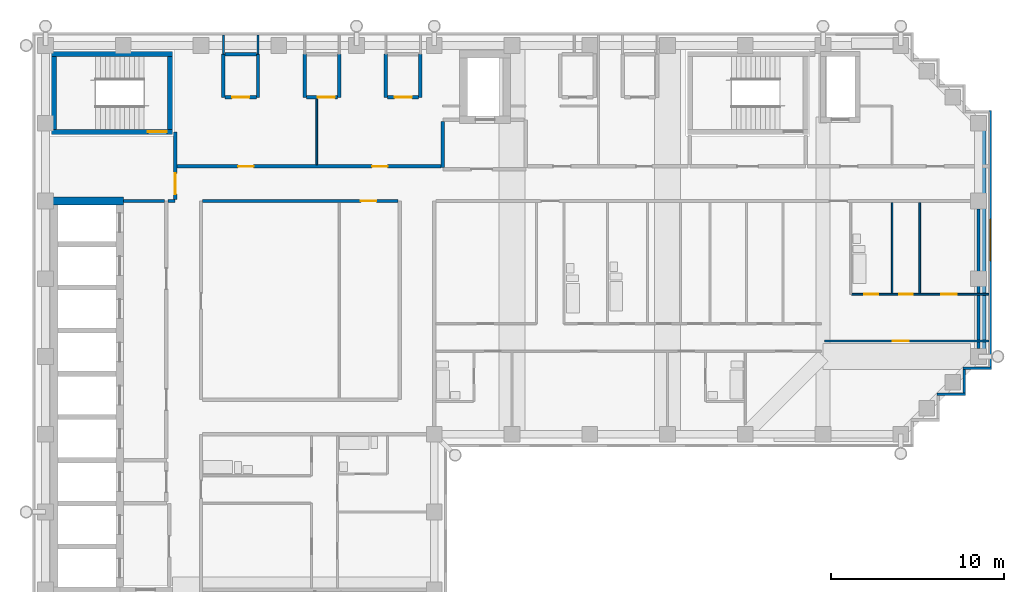
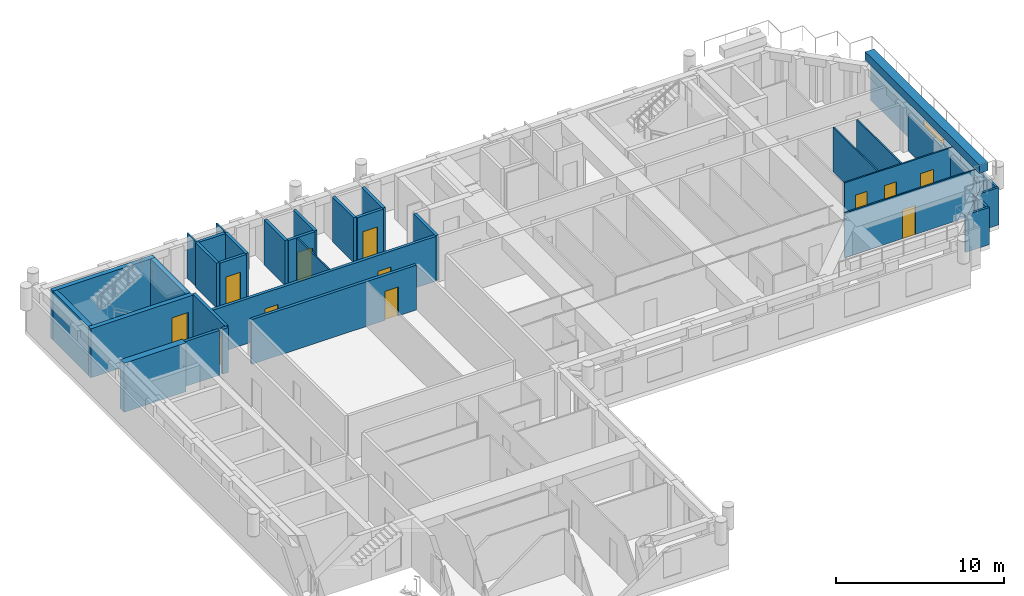
# One storey, part 5 of 9: 34 walls, 12 doors, 1 window, 13 openings.
"""IFC4 building model written with IfcOpenShell, lengths in metres."""

from ifc_helpers import new_model, si_unit, direction, frame, frame_2d, origin, place, context, subcontext, project, spatial, rectangle, extrude, material, layer, layer_set, type_object, element, fill, save


model = new_model("IFC4")

# Units and contexts
model_context = context("Model", 3, precision=1e-05, world=origin(), true_north=direction((0.0, 1.0)))
body_context = subcontext(model_context, "Body", "Model", "MODEL_VIEW")
ifc_project = project(units=[si_unit("LENGTHUNIT", "METRE"), si_unit("AREAUNIT", "SQUARE_METRE"), si_unit("VOLUMEUNIT", "CUBIC_METRE"), si_unit("PLANEANGLEUNIT", "RADIAN"), si_unit("MASSUNIT", "GRAM", prefix="KILO")], contexts=[model_context])

# Site, building, storey
site_placement = place(None, origin())
site = spatial("IfcSite", under=ifc_project, at=site_placement, CompositionType="ELEMENT")
building_placement = place(site_placement, origin())
building = spatial("IfcBuilding", under=site, at=building_placement, Name="Firuza Court", CompositionType="ELEMENT")
storey_placement = place(building_placement, frame((0.0, 0.0, 229.39990234375)))
storey = spatial("IfcBuildingStorey", under=building, at=storey_placement, Name="L59", CompositionType="ELEMENT", Elevation=229.39990234375)

# Wall
ifc_material_1 = material(Name="Moisture-resistant gypsum board partition")
ifc_layer_1 = layer(ifc_material_1, 0.10009765625)
ifc_layer_set_1 = layer_set([ifc_layer_1], Name="Moisture-resistant gypsum board partition")
wall_type_1 = type_object("IfcWallType", Name="Bathroom partition 100", PredefinedType="PLUMBINGWALL", material=ifc_layer_set_1)
wall_1_placement = place(storey_placement, frame((49.0, 44.14990234375, 0.0), z_axis=(0.0, 0.0, 1.0), x_axis=(0.0, 1.0, 0.0)))
element("IfcWall", 1, at=wall_1_placement, inside=storey, type_object=wall_type_1, Name="Bathroom partition 100 L59", PredefinedType="PLUMBINGWALL", context=body_context, shape_type="SweptSolid", body=[
    extrude(rectangle(XDim=5.25, YDim=0.10009765625, at=frame_2d((2.625, 0.0))), origin(), (0.0, 0.0, 1.0), 3.25),
])

# Wall, opening, door
ifc_material_2 = material(Name="Concrete C50/60", Category="concrete")
ifc_layer_2 = layer(ifc_material_2, 0.300048828125)
ifc_layer_set_2 = layer_set([ifc_layer_2], Name="Concrete C50/60")
wall_type_2 = type_object("IfcWallType", Name="Core wall 300 C50/60", PredefinedType="SHEAR", material=ifc_layer_set_2)
wall_2_placement = place(storey_placement, frame((0.35009765625, 53.5, -0.2998046875), z_axis=(0.0, 0.0, 1.0), x_axis=(1.0, 0.0, 0.0)))
wall_2 = element("IfcWall", 2, at=wall_2_placement, inside=storey, type_object=wall_type_2, Name="Core wall stair L59", PredefinedType="SHEAR", context=body_context, shape_type="SweptSolid", body=[
    extrude(rectangle(XDim=7.0, YDim=0.300048828125, at=frame_2d((3.5, 0.0))), origin(), (0.0, 0.0, 1.0), 3.5498046875),
])
opening_1_placement = place(wall_2_placement, frame((5.580078125, 0.0, 0.300048828125)))
opening_1 = element("IfcOpeningElement", 3, at=opening_1_placement, cuts=wall_2, Name="Opening D59012", PredefinedType="OPENING", context=body_context, shape_type="SweptSolid", body=[
    extrude(rectangle(XDim=1.10009765625, YDim=2.10009765625, at=frame_2d((0.550048828125, 1.050048828125))), frame((0.0, 0.162109375, 0.0), z_axis=(0.0, -1.0, 0.0), x_axis=(1.0, 0.0, 0.0)), (0.0, 0.0, 1.0), 0.323974609375),
])
ifc_material_3 = material(Name="Timber door leaf in hardwood frame", Category="wood")
door_type_1 = type_object("IfcDoorType", Name="Stair door 1100", OperationType="SINGLE_SWING_LEFT", PredefinedType="DOOR", material=ifc_material_3)
door_1_placement = place(opening_1_placement, origin())
door_1 = element("IfcDoor", 4, at=door_1_placement, inside=storey, type_object=door_type_1, Name="Stair door S3", OperationType="SINGLE_SWING_RIGHT", OverallHeight=2.10009765625, OverallWidth=1.10009765625, PredefinedType="DOOR", context=body_context, shape_type="SweptSolid", body=[
    extrude(rectangle(XDim=1.10009765625, YDim=2.10009765625, at=frame_2d((0.550048828125, 1.050048828125))), frame((0.0, 0.02490234375, 0.0), z_axis=(0.0, -1.0, 0.0), x_axis=(1.0, 0.0, 0.0)), (0.0, 0.0, 1.0), 0.050048828125),
])
fill(opening_1, door_1)

# Walls
wall_3_placement = place(storey_placement, frame((0.35009765625, 58.0, -0.2998046875), z_axis=(0.0, 0.0, 1.0), x_axis=(1.0, 0.0, 0.0)))
element("IfcWall", 5, at=wall_3_placement, inside=storey, type_object=wall_type_2, Name="Core wall stair L59", PredefinedType="SHEAR", context=body_context, shape_type="SweptSolid", body=[
    extrude(rectangle(XDim=7.0, YDim=0.300048828125, at=frame_2d((3.5, 0.0))), origin(), (0.0, 0.0, 1.0), 3.5498046875),
])
for number, where, z_axis, x_axis, name in (
    (6, (0.5, 53.64990234375, -0.2998046875), (0.0, 0.0, 1.0), (0.0, 1.0, 0.0), "Core wall stair L59"),
    (7, (7.199951171875, 53.64990234375, -0.2998046875), (0.0, 0.0, 1.0), (0.0, 1.0, 0.0), "Core wall stair L59"),
):
    element("IfcWall", number, at=place(storey_placement, frame(where, z_axis=z_axis, x_axis=x_axis)), inside=storey, type_object=wall_type_2, Name=name, PredefinedType="SHEAR", context=body_context, shape_type="SweptSolid", body=[
        extrude(rectangle(XDim=4.2001953125, YDim=0.300048828125, at=frame_2d((2.10009765625, 0.0))), origin(), (0.0, 0.0, 1.0), 3.5498046875),
    ])
ifc_layer_3 = layer(ifc_material_2, 0.449951171875)
ifc_layer_set_3 = layer_set([ifc_layer_3], Name="Concrete C50/60")
wall_type_3 = type_object("IfcWallType", Name="Core wall 450 C50/60", PredefinedType="SHEAR", material=ifc_layer_set_3)
wall_4_placement = place(storey_placement, frame((0.27490234375, 49.5, -0.2998046875), z_axis=(0.0, 0.0, 1.0), x_axis=(1.0, 0.0, 0.0)))
element("IfcWall", 8, at=wall_4_placement, inside=storey, type_object=wall_type_3, Name="Core wall lift shaft L59", PredefinedType="SHEAR", context=body_context, shape_type="SweptSolid", body=[
    extrude(rectangle(XDim=4.25, YDim=0.449951171875, at=frame_2d((2.125, 0.0))), origin(), (0.0, 0.0, 1.0), 3.5498046875),
])

# Wall, opening, door
ifc_material_4 = material(Name="Blockwork, plastered both sides", Category="masonry")
ifc_layer_4 = layer(ifc_material_4, 0.199951171875)
ifc_layer_set_4 = layer_set([ifc_layer_4], Name="Blockwork, plastered both sides")
wall_type_4 = type_object("IfcWallType", Name="Corridor wall 200", PredefinedType="PARTITIONING", material=ifc_layer_set_4)
wall_5_placement = place(storey_placement, frame((9.10009765625, 49.5, 0.0), z_axis=(0.0, 0.0, 1.0), x_axis=(1.0, 0.0, 0.0)))
wall_5 = element("IfcWall", 9, at=wall_5_placement, inside=storey, type_object=wall_type_4, Name="Corridor wall 200 L59", PredefinedType="PARTITIONING", context=body_context, shape_type="SweptSolid", body=[
    extrude(rectangle(XDim=11.2998046875, YDim=0.199951171875, at=frame_2d((5.64990234375, 0.0))), origin(), (0.0, 0.0, 1.0), 3.25),
])
opening_2_placement = place(wall_5_placement, frame((9.14990234375, 0.0, 0.0)))
opening_2 = element("IfcOpeningElement", 10, at=opening_2_placement, cuts=wall_5, Name="Opening D59045", PredefinedType="OPENING", context=body_context, shape_type="SweptSolid", body=[
    extrude(rectangle(XDim=0.89990234375, YDim=2.10009765625, at=frame_2d((0.449951171875, 1.050048828125))), frame((0.0, 0.11181640625, 0.0), z_axis=(0.0, -1.0, 0.0), x_axis=(1.0, 0.0, 0.0)), (0.0, 0.0, 1.0), 0.223876953125),
])
ifc_material_5 = material(Name="Timber door leaf in hardwood frame", Category="wood")
door_type_2 = type_object("IfcDoorType", Name="Room door 900 EI 30", OperationType="SINGLE_SWING_LEFT", PredefinedType="DOOR", material=ifc_material_5)
door_2_placement = place(opening_2_placement, origin())
door_2 = element("IfcDoor", 11, at=door_2_placement, inside=storey, type_object=door_type_2, Name="Residents' club lounge door", OperationType="SINGLE_SWING_LEFT", OverallHeight=2.10009765625, OverallWidth=0.89990234375, PredefinedType="DOOR", context=body_context, shape_type="SweptSolid", body=[
    extrude(rectangle(XDim=0.89990234375, YDim=2.10009765625, at=frame_2d((0.449951171875, 1.050048828125))), frame((0.0, 0.02490234375, 0.0), z_axis=(0.0, -1.0, 0.0), x_axis=(1.0, 0.0, 0.0)), (0.0, 0.0, 1.0), 0.050048828125),
])
fill(opening_2, door_2)

# Wall, openings, doors
wall_6_placement = place(storey_placement, frame((7.60009765625, 51.5, 0.0), z_axis=(0.0, 0.0, 1.0), x_axis=(1.0, 0.0, 0.0)))
wall_6 = element("IfcWall", 12, at=wall_6_placement, inside=storey, type_object=wall_type_4, Name="Corridor wall 200 L59", PredefinedType="PARTITIONING", context=body_context, shape_type="SweptSolid", body=[
    extrude(rectangle(XDim=15.2998046875, YDim=0.199951171875, at=frame_2d((7.64990234375, 0.0))), origin(), (0.0, 0.0, 1.0), 3.25),
])
opening_3_placement = place(wall_6_placement, frame((3.550048828125, 0.0, 0.0)))
opening_3 = element("IfcOpeningElement", 13, at=opening_3_placement, cuts=wall_6, Name="Opening D59048", PredefinedType="OPENING", context=body_context, shape_type="SweptSolid", body=[
    extrude(rectangle(XDim=0.89990234375, YDim=2.10009765625, at=frame_2d((0.449951171875, 1.050048828125))), frame((0.0, 0.11181640625, 0.0), z_axis=(0.0, -1.0, 0.0), x_axis=(1.0, 0.0, 0.0)), (0.0, 0.0, 1.0), 0.223876953125),
])
opening_4_placement = place(wall_6_placement, frame((11.300048828125, 0.0, 0.0)))
opening_4 = element("IfcOpeningElement", 14, at=opening_4_placement, cuts=wall_6, Name="Opening D59049", PredefinedType="OPENING", context=body_context, shape_type="SweptSolid", body=[
    extrude(rectangle(XDim=0.89990234375, YDim=2.10009765625, at=frame_2d((0.449951171875, 1.050048828125))), frame((0.0, 0.11181640625, 0.0), z_axis=(0.0, -1.0, 0.0), x_axis=(1.0, 0.0, 0.0)), (0.0, 0.0, 1.0), 0.223876953125),
])
door_3_placement = place(opening_3_placement, origin())
door_3 = element("IfcDoor", 15, at=door_3_placement, inside=storey, type_object=door_type_2, Name="Meeting room door", OperationType="SINGLE_SWING_LEFT", OverallHeight=2.10009765625, OverallWidth=0.89990234375, PredefinedType="DOOR", context=body_context, shape_type="SweptSolid", body=[
    extrude(rectangle(XDim=0.89990234375, YDim=2.10009765625, at=frame_2d((0.449951171875, 1.050048828125))), frame((0.0, 0.02490234375, 0.0), z_axis=(0.0, -1.0, 0.0), x_axis=(1.0, 0.0, 0.0)), (0.0, 0.0, 1.0), 0.050048828125),
])
fill(opening_3, door_3)
door_4_placement = place(opening_4_placement, origin())
door_4 = element("IfcDoor", 16, at=door_4_placement, inside=storey, type_object=door_type_2, Name="Meeting room door", OperationType="SINGLE_SWING_LEFT", OverallHeight=2.10009765625, OverallWidth=0.89990234375, PredefinedType="DOOR", context=body_context, shape_type="SweptSolid", body=[
    extrude(rectangle(XDim=0.89990234375, YDim=2.10009765625, at=frame_2d((0.449951171875, 1.050048828125))), frame((0.0, 0.02490234375, 0.0), z_axis=(0.0, -1.0, 0.0), x_axis=(1.0, 0.0, 0.0)), (0.0, 0.0, 1.0), 0.050048828125),
])
fill(opening_4, door_4)

# Wall, opening, door
ifc_material_6 = material(Name="Timber stud partition, plasterboard both sides", Category="wood")
ifc_layer_5 = layer(ifc_material_6, 0.10009765625)
ifc_layer_set_5 = layer_set([ifc_layer_5], Name="Timber stud partition, plasterboard both sides")
wall_type_5 = type_object("IfcWallType", Name="Partition wall 100", PredefinedType="PARTITIONING", material=ifc_layer_set_5)
wall_7_placement = place(storey_placement, frame((45.10009765625, 41.39990234375, 0.0), z_axis=(0.0, 0.0, 1.0), x_axis=(1.0, 0.0, 0.0)))
wall_7 = element("IfcWall", 17, at=wall_7_placement, inside=storey, type_object=wall_type_5, Name="Partition wall 100 L59", PredefinedType="PARTITIONING", context=body_context, shape_type="SweptSolid", body=[
    extrude(rectangle(XDim=9.5, YDim=0.10009765625, at=frame_2d((4.75, 0.0))), origin(), (0.0, 0.0, 1.0), 3.25),
])
opening_5_placement = place(wall_7_placement, frame((3.949951171875, 0.0, 0.0)))
opening_5 = element("IfcOpeningElement", 18, at=opening_5_placement, cuts=wall_7, Name="Opening D59033", PredefinedType="OPENING", context=body_context, shape_type="SweptSolid", body=[
    extrude(rectangle(XDim=0.89990234375, YDim=2.10009765625, at=frame_2d((0.449951171875, 1.050048828125))), frame((0.0, 0.06201171875, 0.0), z_axis=(0.0, -1.0, 0.0), x_axis=(1.0, 0.0, 0.0)), (0.0, 0.0, 1.0), 0.1240234375),
])
ifc_material_7 = material(Name="Timber door leaf in hardwood frame", Category="wood")
door_type_3 = type_object("IfcDoorType", Name="Room door 900", OperationType="SINGLE_SWING_LEFT", PredefinedType="DOOR", material=ifc_material_7)
door_5_placement = place(opening_5_placement, frame((0.89990234375, 0.0, 0.0), z_axis=(0.0, 0.0, 1.0), x_axis=(-1.0, 0.0, 0.0)))
door_5 = element("IfcDoor", 19, at=door_5_placement, inside=storey, type_object=door_type_3, Name="Studio room door", OperationType="SINGLE_SWING_RIGHT", OverallHeight=2.10009765625, OverallWidth=0.89990234375, PredefinedType="DOOR", context=body_context, shape_type="SweptSolid", body=[
    extrude(rectangle(XDim=0.89990234375, YDim=2.10009765625, at=frame_2d((0.449951171875, 1.050048828125))), frame((0.0, 0.02490234375, 0.0), z_axis=(0.0, -1.0, 0.0), x_axis=(1.0, 0.0, 0.0)), (0.0, 0.0, 1.0), 0.050048828125),
])
fill(opening_5, door_5)

# Wall, openings, doors
wall_8_placement = place(storey_placement, frame((46.64990234375, 44.10009765625, 0.0), z_axis=(0.0, 0.0, 1.0), x_axis=(1.0, 0.0, 0.0)))
wall_8 = element("IfcWall", 20, at=wall_8_placement, inside=storey, type_object=wall_type_5, Name="Partition wall 100 L59", PredefinedType="PARTITIONING", context=body_context, shape_type="SweptSolid", body=[
    extrude(rectangle(XDim=7.9501953125, YDim=0.10009765625, at=frame_2d((3.97509765625, 0.0))), origin(), (0.0, 0.0, 1.0), 3.25),
])
opening_6_placement = place(wall_8_placement, frame((0.75, 0.0, 0.0)))
opening_6 = element("IfcOpeningElement", 21, at=opening_6_placement, cuts=wall_8, Name="Opening D59042", PredefinedType="OPENING", context=body_context, shape_type="SweptSolid", body=[
    extrude(rectangle(XDim=0.800048828125, YDim=2.10009765625, at=frame_2d((0.39990234375, 1.050048828125))), frame((0.0, 0.06201171875, 0.0), z_axis=(0.0, -1.0, 0.0), x_axis=(1.0, 0.0, 0.0)), (0.0, 0.0, 1.0), 0.1240234375),
])
opening_7_placement = place(wall_8_placement, frame((5.199951171875, 0.0, 0.0)))
opening_7 = element("IfcOpeningElement", 22, at=opening_7_placement, cuts=wall_8, Name="Opening D59043", PredefinedType="OPENING", context=body_context, shape_type="SweptSolid", body=[
    extrude(rectangle(XDim=0.89990234375, YDim=2.10009765625, at=frame_2d((0.449951171875, 1.050048828125))), frame((0.0, 0.06201171875, 0.0), z_axis=(0.0, -1.0, 0.0), x_axis=(1.0, 0.0, 0.0)), (0.0, 0.0, 1.0), 0.1240234375),
])
opening_8_placement = place(wall_8_placement, frame((2.75, 0.0, 0.0)))
opening_8 = element("IfcOpeningElement", 23, at=opening_8_placement, cuts=wall_8, Name="Opening D59044", PredefinedType="OPENING", context=body_context, shape_type="SweptSolid", body=[
    extrude(rectangle(XDim=0.800048828125, YDim=2.10009765625, at=frame_2d((0.39990234375, 1.050048828125))), frame((0.0, 0.06201171875, 0.0), z_axis=(0.0, -1.0, 0.0), x_axis=(1.0, 0.0, 0.0)), (0.0, 0.0, 1.0), 0.1240234375),
])
ifc_material_8 = material(Name="Timber door leaf in hardwood frame", Category="wood")
door_type_4 = type_object("IfcDoorType", Name="Bathroom door 800", OperationType="SINGLE_SWING_LEFT", PredefinedType="DOOR", material=ifc_material_8)
door_6_placement = place(opening_6_placement, origin())
door_6 = element("IfcDoor", 24, at=door_6_placement, inside=storey, type_object=door_type_4, Name="Bathroom door", OperationType="SINGLE_SWING_LEFT", OverallHeight=2.10009765625, OverallWidth=0.800048828125, PredefinedType="DOOR", context=body_context, shape_type="SweptSolid", body=[
    extrude(rectangle(XDim=0.800048828125, YDim=2.10009765625, at=frame_2d((0.39990234375, 1.050048828125))), frame((0.0, 0.02490234375, 0.0), z_axis=(0.0, -1.0, 0.0), x_axis=(1.0, 0.0, 0.0)), (0.0, 0.0, 1.0), 0.050048828125),
])
fill(opening_6, door_6)
ifc_material_9 = material(Name="Timber door leaf in hardwood frame", Category="wood")
door_type_5 = type_object("IfcDoorType", Name="Room door 800", OperationType="SINGLE_SWING_LEFT", PredefinedType="DOOR", material=ifc_material_9)
door_7_placement = place(opening_8_placement, origin())
door_7 = element("IfcDoor", 25, at=door_7_placement, inside=storey, type_object=door_type_5, Name="Store door", OperationType="SINGLE_SWING_LEFT", OverallHeight=2.10009765625, OverallWidth=0.800048828125, PredefinedType="DOOR", context=body_context, shape_type="SweptSolid", body=[
    extrude(rectangle(XDim=0.800048828125, YDim=2.10009765625, at=frame_2d((0.39990234375, 1.050048828125))), frame((0.0, 0.02490234375, 0.0), z_axis=(0.0, -1.0, 0.0), x_axis=(1.0, 0.0, 0.0)), (0.0, 0.0, 1.0), 0.050048828125),
])
fill(opening_8, door_7)
door_8_placement = place(opening_7_placement, origin())
door_8 = element("IfcDoor", 26, at=door_8_placement, inside=storey, type_object=door_type_3, Name="Kitchen door", OperationType="SINGLE_SWING_LEFT", OverallHeight=2.10009765625, OverallWidth=0.89990234375, PredefinedType="DOOR", context=body_context, shape_type="SweptSolid", body=[
    extrude(rectangle(XDim=0.89990234375, YDim=2.10009765625, at=frame_2d((0.449951171875, 1.050048828125))), frame((0.0, 0.02490234375, 0.0), z_axis=(0.0, -1.0, 0.0), x_axis=(1.0, 0.0, 0.0)), (0.0, 0.0, 1.0), 0.050048828125),
])
fill(opening_7, door_8)

# Walls
wall_9_placement = place(storey_placement, frame((50.60009765625, 44.14990234375, 0.0), z_axis=(0.0, 0.0, 1.0), x_axis=(0.0, 1.0, 0.0)))
element("IfcWall", 27, at=wall_9_placement, inside=storey, type_object=wall_type_5, Name="Partition wall 100 L59", PredefinedType="PARTITIONING", context=body_context, shape_type="SweptSolid", body=[
    extrude(rectangle(XDim=5.25, YDim=0.10009765625, at=frame_2d((2.625, 0.0))), origin(), (0.0, 0.0, 1.0), 3.25),
])
wall_10_placement = place(storey_placement, frame((15.699951171875, 51.60009765625, 0.0), z_axis=(0.0, 0.0, 1.0), x_axis=(0.0, 1.0, 0.0)))
element("IfcWall", 28, at=wall_10_placement, inside=storey, type_object=wall_type_5, Name="Partition wall 100 L59", PredefinedType="PARTITIONING", context=body_context, shape_type="SweptSolid", body=[
    extrude(rectangle(XDim=3.7998046875, YDim=0.10009765625, at=frame_2d((1.89990234375, 0.0))), origin(), (0.0, 0.0, 1.0), 3.25),
])
for number, where, z_axis, x_axis, name in (
    (29, (10.300048828125, 58.0, 0.0), (0.0, 0.0, 1.0), (0.0, 1.0, 0.0), "Partition wall 100 L59"),
    (30, (12.300048828125, 58.0, 0.0), (0.0, 0.0, 1.0), (0.0, 1.0, 0.0), "Partition wall 100 L59"),
):
    element("IfcWall", number, at=place(storey_placement, frame(where, z_axis=z_axis, x_axis=x_axis)), inside=storey, type_object=wall_type_5, Name=name, PredefinedType="PARTITIONING", context=body_context, shape_type="SweptSolid", body=[
        extrude(rectangle(XDim=1.10009765625, YDim=0.10009765625, at=frame_2d((0.550048828125, 0.0))), origin(), (0.0, 0.0, 1.0), 3.25),
    ])
ifc_layer_6 = layer(ifc_material_4, 0.199951171875)
ifc_layer_set_6 = layer_set([ifc_layer_6], Name="Blockwork, plastered both sides")
wall_type_6 = type_object("IfcWallType", Name="Party wall 200", PredefinedType="PARTITIONING", material=ifc_layer_set_6)
wall_11_placement = place(storey_placement, frame((54.0, 40.949951171875, 0.0), z_axis=(0.0, 0.0, 1.0), x_axis=(0.0, 1.0, 0.0)))
element("IfcWall", 31, at=wall_11_placement, inside=storey, type_object=wall_type_6, Name="Party wall 200 L59", PredefinedType="PARTITIONING", context=body_context, shape_type="SweptSolid", body=[
    extrude(rectangle(XDim=8.10009765625, YDim=0.199951171875, at=frame_2d((4.050048828125, 0.0))), origin(), (0.0, 0.0, 1.0), 2.7001953125),
])
ifc_material_10 = material(Name="Blockwork, fire-rated", Category="masonry")
ifc_layer_7 = layer(ifc_material_10, 0.199951171875)
ifc_layer_set_7 = layer_set([ifc_layer_7], Name="Blockwork, fire-rated")
wall_type_7 = type_object("IfcWallType", Name="Plant room wall 200", PredefinedType="PARTITIONING", material=ifc_layer_set_7)
wall_12_placement = place(storey_placement, frame((10.300048828125, 55.5, 0.0), z_axis=(0.0, 0.0, 1.0), x_axis=(0.0, 1.0, 0.0)))
element("IfcWall", 32, at=wall_12_placement, inside=storey, type_object=wall_type_7, Name="Plant room wall 200 L59", PredefinedType="PARTITIONING", context=body_context, shape_type="SweptSolid", body=[
    extrude(rectangle(XDim=2.5, YDim=0.199951171875, at=frame_2d((1.25, 0.0))), origin(), (0.0, 0.0, 1.0), 3.25),
])

# Wall, opening, door
wall_13_placement = place(storey_placement, frame((10.39990234375, 55.5, 0.0), z_axis=(0.0, 0.0, 1.0), x_axis=(1.0, 0.0, 0.0)))
wall_13 = element("IfcWall", 33, at=wall_13_placement, inside=storey, type_object=wall_type_7, Name="Plant room wall 200 L59", PredefinedType="PARTITIONING", context=body_context, shape_type="SweptSolid", body=[
    extrude(rectangle(XDim=1.800048828125, YDim=0.199951171875, at=frame_2d((0.89990234375, 0.0))), origin(), (0.0, 0.0, 1.0), 3.25),
])
opening_9_placement = place(wall_13_placement, frame((0.39990234375, 0.0, 0.0)))
opening_9 = element("IfcOpeningElement", 34, at=opening_9_placement, cuts=wall_13, Name="Opening D59054", PredefinedType="OPENING", context=body_context, shape_type="SweptSolid", body=[
    extrude(rectangle(XDim=1.0, YDim=2.10009765625, at=frame_2d((0.5, 1.050048828125))), frame((0.0, 0.11181640625, 0.0), z_axis=(0.0, -1.0, 0.0), x_axis=(1.0, 0.0, 0.0)), (0.0, 0.0, 1.0), 0.223876953125),
])
ifc_material_11 = material(Name="Timber door leaf in hardwood frame", Category="wood")
door_type_6 = type_object("IfcDoorType", Name="Riser door 1000", OperationType="SINGLE_SWING_LEFT", PredefinedType="DOOR", material=ifc_material_11)
door_9_placement = place(opening_9_placement, origin())
door_9 = element("IfcDoor", 35, at=door_9_placement, inside=storey, type_object=door_type_6, Name="Comms riser door", OperationType="SINGLE_SWING_LEFT", OverallHeight=2.10009765625, OverallWidth=1.0, PredefinedType="DOOR", context=body_context, shape_type="SweptSolid", body=[
    extrude(rectangle(XDim=1.0, YDim=2.10009765625, at=frame_2d((0.5, 1.050048828125))), frame((0.0, 0.02490234375, 0.0), z_axis=(0.0, -1.0, 0.0), x_axis=(1.0, 0.0, 0.0)), (0.0, 0.0, 1.0), 0.050048828125),
])
fill(opening_9, door_9)

# Walls
for number, where, z_axis, x_axis, name in (
    (36, (12.300048828125, 55.5, 0.0), (0.0, 0.0, 1.0), (0.0, 1.0, 0.0), "Plant room wall 200 L59"),
    (37, (15.0, 55.5, 0.0), (0.0, 0.0, 1.0), (0.0, 1.0, 0.0), "Plant room wall 200 L59"),
):
    element("IfcWall", number, at=place(storey_placement, frame(where, z_axis=z_axis, x_axis=x_axis)), inside=storey, type_object=wall_type_7, Name=name, PredefinedType="PARTITIONING", context=body_context, shape_type="SweptSolid", body=[
        extrude(rectangle(XDim=2.5, YDim=0.199951171875, at=frame_2d((1.25, 0.0))), origin(), (0.0, 0.0, 1.0), 3.25),
    ])

# Wall, opening, door
wall_14_placement = place(storey_placement, frame((15.10009765625, 55.5, 0.0), z_axis=(0.0, 0.0, 1.0), x_axis=(1.0, 0.0, 0.0)))
wall_14 = element("IfcWall", 38, at=wall_14_placement, inside=storey, type_object=wall_type_7, Name="Plant room wall 200 L59", PredefinedType="PARTITIONING", context=body_context, shape_type="SweptSolid", body=[
    extrude(rectangle(XDim=1.7998046875, YDim=0.199951171875, at=frame_2d((0.89990234375, 0.0))), origin(), (0.0, 0.0, 1.0), 3.25),
])
opening_10_placement = place(wall_14_placement, frame((0.64990234375, 0.0, 0.0)))
opening_10 = element("IfcOpeningElement", 39, at=opening_10_placement, cuts=wall_14, Name="Opening D59055", PredefinedType="OPENING", context=body_context, shape_type="SweptSolid", body=[
    extrude(rectangle(XDim=1.0, YDim=2.10009765625, at=frame_2d((0.5, 1.050048828125))), frame((0.0, 0.11181640625, 0.0), z_axis=(0.0, -1.0, 0.0), x_axis=(1.0, 0.0, 0.0)), (0.0, 0.0, 1.0), 0.223876953125),
])
door_10_placement = place(opening_10_placement, origin())
door_10 = element("IfcDoor", 40, at=door_10_placement, inside=storey, type_object=door_type_6, Name="Electrical riser door", OperationType="SINGLE_SWING_RIGHT", OverallHeight=2.10009765625, OverallWidth=1.0, PredefinedType="DOOR", context=body_context, shape_type="SweptSolid", body=[
    extrude(rectangle(XDim=1.0, YDim=2.10009765625, at=frame_2d((0.5, 1.050048828125))), frame((0.0, 0.02490234375, 0.0), z_axis=(0.0, -1.0, 0.0), x_axis=(1.0, 0.0, 0.0)), (0.0, 0.0, 1.0), 0.050048828125),
])
fill(opening_10, door_10)

# Walls
for number, where, z_axis, x_axis, name in (
    (41, (17.0, 55.5, 0.0), (0.0, 0.0, 1.0), (0.0, 1.0, 0.0), "Plant room wall 200 L59"),
    (42, (19.699951171875, 55.5, 0.0), (0.0, 0.0, 1.0), (0.0, 1.0, 0.0), "Plant room wall 200 L59"),
):
    element("IfcWall", number, at=place(storey_placement, frame(where, z_axis=z_axis, x_axis=x_axis)), inside=storey, type_object=wall_type_7, Name=name, PredefinedType="PARTITIONING", context=body_context, shape_type="SweptSolid", body=[
        extrude(rectangle(XDim=2.5, YDim=0.199951171875, at=frame_2d((1.25, 0.0))), origin(), (0.0, 0.0, 1.0), 3.25),
    ])

# Wall, opening, door
wall_15_placement = place(storey_placement, frame((19.800048828125, 55.5, 0.0), z_axis=(0.0, 0.0, 1.0), x_axis=(1.0, 0.0, 0.0)))
wall_15 = element("IfcWall", 43, at=wall_15_placement, inside=storey, type_object=wall_type_7, Name="Plant room wall 200 L59", PredefinedType="PARTITIONING", context=body_context, shape_type="SweptSolid", body=[
    extrude(rectangle(XDim=1.800048828125, YDim=0.199951171875, at=frame_2d((0.89990234375, 0.0))), origin(), (0.0, 0.0, 1.0), 3.25),
])
opening_11_placement = place(wall_15_placement, frame((0.39990234375, 0.0, 0.0)))
opening_11 = element("IfcOpeningElement", 44, at=opening_11_placement, cuts=wall_15, Name="Opening D59056", PredefinedType="OPENING", context=body_context, shape_type="SweptSolid", body=[
    extrude(rectangle(XDim=1.0, YDim=2.10009765625, at=frame_2d((0.5, 1.050048828125))), frame((0.0, 0.11181640625, 0.0), z_axis=(0.0, -1.0, 0.0), x_axis=(1.0, 0.0, 0.0)), (0.0, 0.0, 1.0), 0.223876953125),
])
door_11_placement = place(opening_11_placement, origin())
door_11 = element("IfcDoor", 45, at=door_11_placement, inside=storey, type_object=door_type_6, Name="Duct riser door", OperationType="SINGLE_SWING_LEFT", OverallHeight=2.10009765625, OverallWidth=1.0, PredefinedType="DOOR", context=body_context, shape_type="SweptSolid", body=[
    extrude(rectangle(XDim=1.0, YDim=2.10009765625, at=frame_2d((0.5, 1.050048828125))), frame((0.0, 0.02490234375, 0.0), z_axis=(0.0, -1.0, 0.0), x_axis=(1.0, 0.0, 0.0)), (0.0, 0.0, 1.0), 0.050048828125),
])
fill(opening_11, door_11)

# Walls
wall_16_placement = place(storey_placement, frame((21.699951171875, 55.5, 0.0), z_axis=(0.0, 0.0, 1.0), x_axis=(0.0, 1.0, 0.0)))
element("IfcWall", 46, at=wall_16_placement, inside=storey, type_object=wall_type_7, Name="Plant room wall 200 L59", PredefinedType="PARTITIONING", context=body_context, shape_type="SweptSolid", body=[
    extrude(rectangle(XDim=2.5, YDim=0.199951171875, at=frame_2d((1.25, 0.0))), origin(), (0.0, 0.0, 1.0), 3.25),
])
wall_17_placement = place(storey_placement, frame((10.39990234375, 58.0, 0.0), z_axis=(0.0, 0.0, 1.0), x_axis=(1.0, 0.0, 0.0)))
element("IfcWall", 47, at=wall_17_placement, inside=storey, type_object=wall_type_7, Name="Plant room wall 200 L59", PredefinedType="PARTITIONING", context=body_context, shape_type="SweptSolid", body=[
    extrude(rectangle(XDim=1.800048828125, YDim=0.199951171875, at=frame_2d((0.89990234375, 0.0))), origin(), (0.0, 0.0, 1.0), 3.25),
])
ifc_material_12 = material(Name="Ceramic tile", Category="ceramic")
ifc_layer_8 = layer(ifc_material_12, 0.02001953125)
ifc_material_13 = material(Name="Mineral wool insulation", Category="insulation")
ifc_layer_9 = layer(ifc_material_13, 0.050048828125)
ifc_material_14 = material(Name="Concrete C40/50 precast", Category="concrete")
ifc_layer_10 = layer(ifc_material_14, 0.080078125)
ifc_layer_set_8 = layer_set([ifc_layer_8, ifc_layer_9, ifc_layer_10], Name="Concrete C40/50 precast")
wall_type_8 = type_object("IfcWallType", Name="Precast cladding wall with turquoise TILE PANEL face 150", PredefinedType="STANDARD", material=ifc_layer_set_8)
wall_18_placement = place(storey_placement, frame((51.60009765625, 38.324951171875, 0.0), z_axis=(0.0, 0.0, 1.0), x_axis=(1.0, 0.0, 0.0)))
element("IfcWall", 48, at=wall_18_placement, inside=storey, type_object=wall_type_8, Name="Facade wall L59 S", PredefinedType="STANDARD", context=body_context, shape_type="SweptSolid", body=[
    extrude(rectangle(XDim=1.64990234375, YDim=0.14990234375, at=frame_2d((0.824951171875, 0.0))), origin(), (0.0, 0.0, 1.0), 2.7001953125),
])
wall_19_placement = place(storey_placement, frame((53.175048828125, 38.39990234375, 0.0), z_axis=(0.0, 0.0, 1.0), x_axis=(0.0, 1.0, 0.0)))
element("IfcWall", 49, at=wall_19_placement, inside=storey, type_object=wall_type_8, Name="Facade wall L59 E", PredefinedType="STANDARD", context=body_context, shape_type="SweptSolid", body=[
    extrude(rectangle(XDim=1.35009765625, YDim=0.14990234375, at=frame_2d((0.675048828125, 0.0))), origin(), (0.0, 0.0, 1.0), 2.7001953125),
])
wall_20_placement = place(storey_placement, frame((53.10009765625, 39.824951171875, 0.0), z_axis=(0.0, 0.0, 1.0), x_axis=(1.0, 0.0, 0.0)))
element("IfcWall", 50, at=wall_20_placement, inside=storey, type_object=wall_type_8, Name="Facade wall L59 S", PredefinedType="STANDARD", context=body_context, shape_type="SweptSolid", body=[
    extrude(rectangle(XDim=1.64990234375, YDim=0.14990234375, at=frame_2d((0.824951171875, 0.0))), origin(), (0.0, 0.0, 1.0), 2.7001953125),
])

# Wall, opening, window
wall_21_placement = place(storey_placement, frame((54.675048828125, 39.89990234375, 0.0), z_axis=(0.0, 0.0, 1.0), x_axis=(0.0, 1.0, 0.0)))
wall_21 = element("IfcWall", 51, at=wall_21_placement, inside=storey, type_object=wall_type_8, Name="Facade wall L59 E", PredefinedType="STANDARD", context=body_context, shape_type="SweptSolid", body=[
    extrude(rectangle(XDim=14.85009765625, YDim=0.14990234375, at=frame_2d((7.425048828125, 0.0))), origin(), (0.0, 0.0, 1.0), 2.7001953125),
])
opening_12_placement = place(wall_21_placement, frame((6.14990234375, 0.0, 0.60009765625)))
opening_12 = element("IfcOpeningElement", 52, at=opening_12_placement, cuts=wall_21, Name="Opening W1", PredefinedType="OPENING", context=body_context, shape_type="SweptSolid", body=[
    extrude(rectangle(XDim=2.39990234375, YDim=1.800048828125, at=frame_2d((1.199951171875, 0.89990234375))), frame((0.0, 0.0869140625, 0.0), z_axis=(0.0, -1.0, 0.0), x_axis=(1.0, 0.0, 0.0)), (0.0, 0.0, 1.0), 0.173828125),
])
ifc_material_15 = material(Name="Aluminium frame, triple clear glazing", Category="aluminium")
window_type = type_object("IfcWindowType", Name="Window W1 2400 x 1800", PartitioningType="SINGLE_PANEL", PredefinedType="WINDOW", material=ifc_material_15)
window_placement = place(opening_12_placement, origin())
window = element("IfcWindow", 53, at=window_placement, inside=storey, type_object=window_type, Name="Window L59", OverallHeight=1.800048828125, OverallWidth=2.39990234375, PartitioningType="SINGLE_PANEL", PredefinedType="WINDOW", context=body_context, shape_type="SweptSolid", body=[
    extrude(rectangle(XDim=2.39990234375, YDim=1.800048828125, at=frame_2d((1.199951171875, 0.89990234375))), frame((0.0, 0.030029296875, 0.0), z_axis=(0.0, -1.0, 0.0), x_axis=(1.0, 0.0, 0.0)), (0.0, 0.0, 1.0), 0.06005859375),
])
fill(opening_12, window)

# Walls
ifc_layer_11 = layer(ifc_material_10, 0.199951171875)
ifc_layer_set_9 = layer_set([ifc_layer_11], Name="Blockwork, fire-rated")
wall_type_9 = type_object("IfcWallType", Name="Shaft wall 200", PredefinedType="PARTITIONING", material=ifc_layer_set_9)
wall_22_placement = place(storey_placement, frame((4.52490234375, 49.5, 0.0), z_axis=(0.0, 0.0, 1.0), x_axis=(1.0, 0.0, 0.0)))
element("IfcWall", 54, at=wall_22_placement, inside=storey, type_object=wall_type_9, Name="Shaft wall 200 L59", PredefinedType="PARTITIONING", context=body_context, shape_type="SweptSolid", body=[
    extrude(rectangle(XDim=2.375, YDim=0.199951171875, at=frame_2d((1.1875, 0.0))), origin(), (0.0, 0.0, 1.0), 3.25),
])
wall_23_placement = place(storey_placement, frame((23.0, 51.449951171875, 0.0), z_axis=(0.0, 0.0, 1.0), x_axis=(0.0, 1.0, 0.0)))
element("IfcWall", 55, at=wall_23_placement, inside=storey, type_object=wall_type_9, Name="Shaft wall 200 L59", PredefinedType="PARTITIONING", context=body_context, shape_type="SweptSolid", body=[
    extrude(rectangle(XDim=2.650146484375, YDim=0.199951171875, at=frame_2d((1.3251953125, 0.0))), origin(), (0.0, 0.0, 1.0), 3.25),
])
wall_24_placement = place(storey_placement, frame((7.10009765625, 49.5, 0.0), z_axis=(0.0, 0.0, 1.0), x_axis=(1.0, 0.0, 0.0)))
element("IfcWall", 56, at=wall_24_placement, inside=storey, type_object=wall_type_9, Name="Shaft wall 200 L59", PredefinedType="PARTITIONING", context=body_context, shape_type="SweptSolid", body=[
    extrude(rectangle(XDim=0.39990234375, YDim=0.199951171875, at=frame_2d((0.199951171875, 0.0))), origin(), (0.0, 0.0, 1.0), 3.25),
])

# Wall, opening, door
wall_25_placement = place(storey_placement, frame((7.5, 49.60009765625, 0.0), z_axis=(0.0, 0.0, 1.0), x_axis=(0.0, 1.0, 0.0)))
wall_25 = element("IfcWall", 57, at=wall_25_placement, inside=storey, type_object=wall_type_9, Name="Shaft wall 200 L59", PredefinedType="PARTITIONING", context=body_context, shape_type="SweptSolid", body=[
    extrude(rectangle(XDim=3.89990234375, YDim=0.199951171875, at=frame_2d((1.949951171875, 0.0))), origin(), (0.0, 0.0, 1.0), 3.25),
])
opening_13_placement = place(wall_25_placement, frame((0.300048828125, 0.0, 0.0)))
opening_13 = element("IfcOpeningElement", 58, at=opening_13_placement, cuts=wall_25, Name="Opening D59001", PredefinedType="OPENING", context=body_context, shape_type="SweptSolid", body=[
    extrude(rectangle(XDim=1.199951171875, YDim=2.10009765625, at=frame_2d((0.60009765625, 1.050048828125))), frame((0.0, 0.11181640625, 0.0), z_axis=(0.0, -1.0, 0.0), x_axis=(1.0, 0.0, 0.0)), (0.0, 0.0, 1.0), 0.223876953125),
])
ifc_material_16 = material(Name="Timber door leaf in hardwood frame", Category="wood")
door_type_7 = type_object("IfcDoorType", Name="Lobby door 1200", OperationType="SINGLE_SWING_LEFT", PredefinedType="DOOR", material=ifc_material_16)
door_12_placement = place(opening_13_placement, origin())
door_12 = element("IfcDoor", 59, at=door_12_placement, inside=storey, type_object=door_type_7, Name="Lobby door", OperationType="SINGLE_SWING_LEFT", OverallHeight=2.10009765625, OverallWidth=1.199951171875, PredefinedType="DOOR", context=body_context, shape_type="SweptSolid", body=[
    extrude(rectangle(XDim=1.199951171875, YDim=2.10009765625, at=frame_2d((0.60009765625, 1.050048828125))), frame((0.0, 0.02490234375, 0.0), z_axis=(0.0, -1.0, 0.0), x_axis=(1.0, 0.0, 0.0)), (0.0, 0.0, 1.0), 0.050048828125),
])
fill(opening_13, door_12)

# Wall
ifc_layer_12 = layer(ifc_material_12, 0.02001953125)
ifc_layer_13 = layer(ifc_material_14, 0.14990234375)
ifc_material_17 = material(Name="Planting soil", Category="soil")
ifc_layer_14 = layer(ifc_material_17, 0.429931640625)
ifc_layer_set_10 = layer_set([ifc_layer_12, ifc_layer_13, ifc_layer_14], Name="Concrete C40/50 precast")
wall_type_10 = type_object("IfcWallType", Name="Terrace planter 600", PredefinedType="STANDARD", material=ifc_layer_set_10)
wall_26_placement = place(storey_placement, frame((54.1298828125, 54.030029296875, 3.60009765625), z_axis=(0.0, 0.0, 1.0), x_axis=(0.0, -1.0, 0.0)))
element("IfcWall", 60, at=wall_26_placement, inside=storey, type_object=wall_type_10, Name="PLANTER L59", PredefinedType="STANDARD", context=body_context, shape_type="SweptSolid", body=[
    extrude(rectangle(XDim=13.56005859375, YDim=0.60009765625, at=frame_2d((6.780029296875, 0.0))), origin(), (0.0, 0.0, 1.0), 0.60009765625),
])

save(model, "model.ifc")
